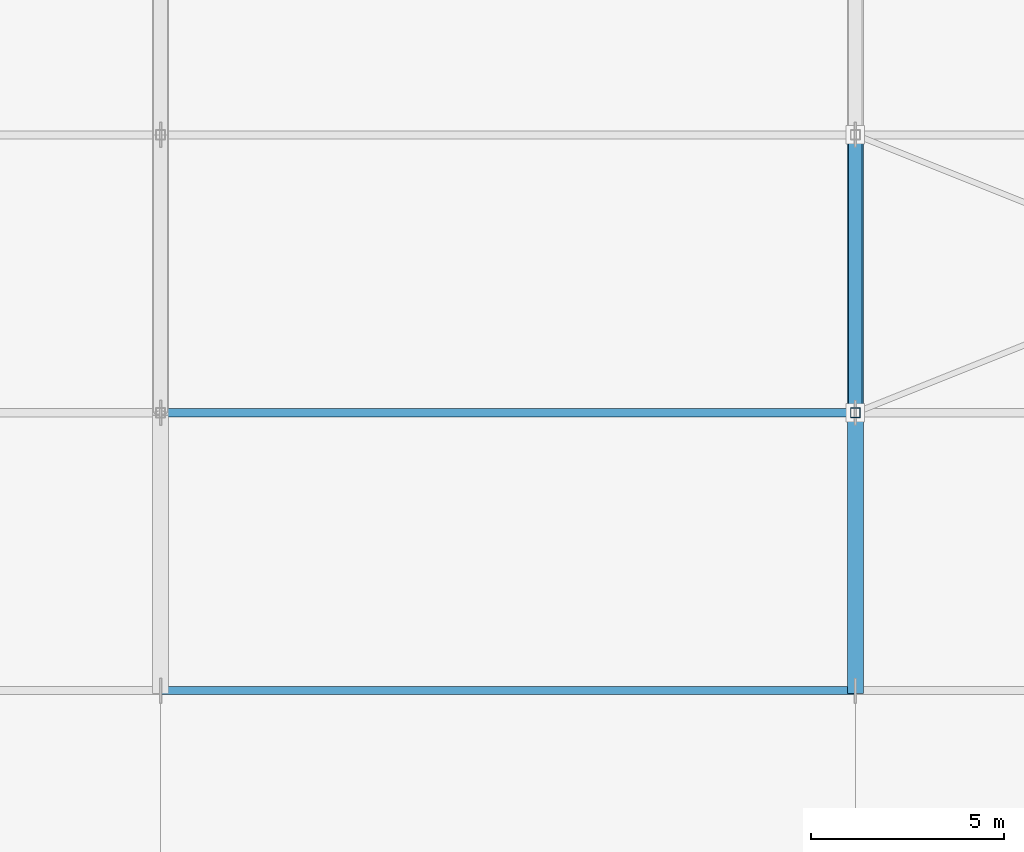
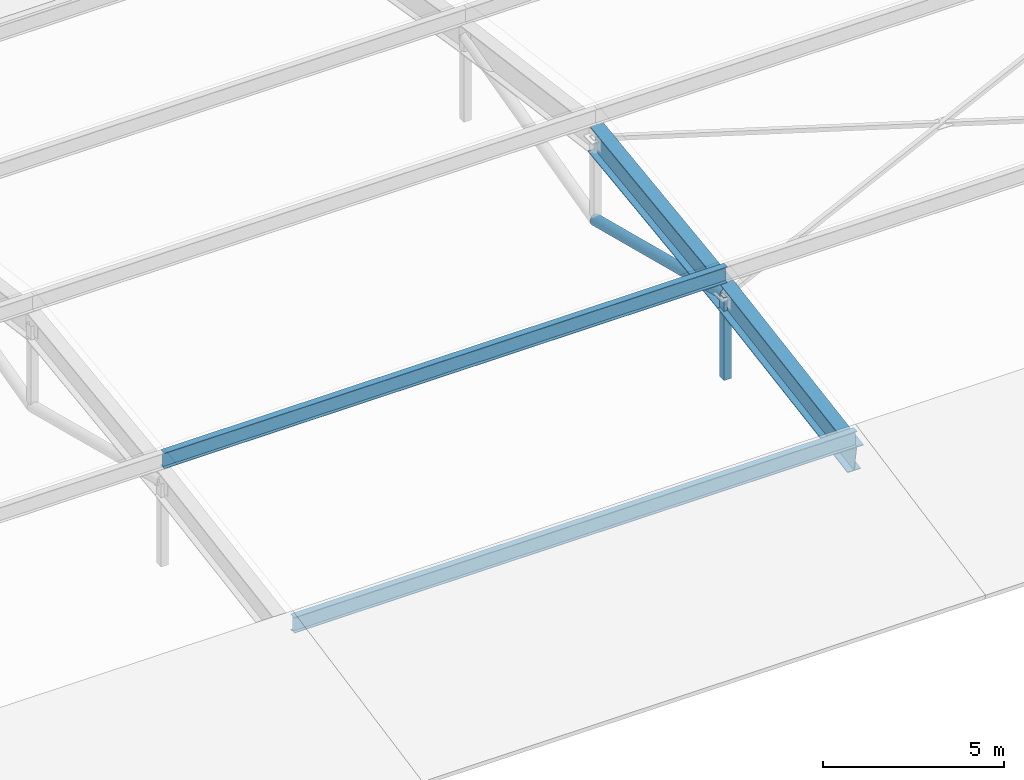
# One storey, part 18 of 78: 6 members.
"""IFC4 building model written with IfcOpenShell, lengths in metres."""

from ifc_helpers import new_model, si_unit, direction, frame, origin, origin_2d, place, context, subcontext, project, spatial, hollow_rectangle, hollow_circle, i_section, extrude, material, material_profile, profile_set, type_object, element, save


model = new_model("IFC4")

# Units and contexts
model_context = context("Model", 3, precision=1e-05, world=origin(), true_north=direction((0.0, 1.0)))
body_context = subcontext(model_context, "Body", "Model", "MODEL_VIEW")
ifc_project = project(units=[si_unit("LENGTHUNIT", "METRE"), si_unit("AREAUNIT", "SQUARE_METRE"), si_unit("VOLUMEUNIT", "CUBIC_METRE"), si_unit("PLANEANGLEUNIT", "RADIAN"), si_unit("MASSUNIT", "GRAM", prefix="KILO")], contexts=[model_context])

# Site, building, storey
site_placement = place(None, origin())
site = spatial("IfcSite", under=ifc_project, at=site_placement, CompositionType="ELEMENT")
building_placement = place(site_placement, origin())
building = spatial("IfcBuilding", under=site, at=building_placement, Name="Celestram Park Convention Centre", CompositionType="ELEMENT")
storey_placement = place(building_placement, frame((0.0, 0.0, 19.800048828125)))
storey = spatial("IfcBuildingStorey", under=building, at=storey_placement, Name="L04", CompositionType="ELEMENT", Elevation=19.800048828125)

# Members
ifc_material_1 = material(Name="Steel ASTM A500 Grade C", Category="steel")
ifc_material_profile_1 = material_profile(ifc_material_1, hollow_circle(Radius=0.177978515625, WallThickness=0.011962890625, at=origin_2d()), Name="CHS356X12")
ifc_profile_set_1 = profile_set([ifc_material_profile_1], Name="Steel ASTM A500 Grade C")
member_type_1 = type_object("IfcMemberType", Name="STR-BRC-CHS356", PredefinedType="BRACE", material=ifc_profile_set_1)
member_1_placement = place(storey_placement, frame((108.0, 57.60009765625, 1.670166015625), z_axis=(0.0, 0.968804355336, -0.247826796536), x_axis=(-1.0, 0.0, 0.0)))
element("IfcMember", 1, at=member_1_placement, inside=storey, type_object=member_type_1, Name="V1 arch web diagonal", PredefinedType="BRACE", context=body_context, shape_type="SweptSolid", body=[
    extrude(hollow_circle(Radius=0.177978515625, WallThickness=0.011962890625, at=origin_2d()), origin(), (0.0, 0.0, 1.0), 7.431884765625),
])
ifc_material_2 = material(Name="Steel ASTM A992 Grade 50", Category="steel")
ifc_material_profile_2 = material_profile(ifc_material_2, i_section(OverallWidth=0.4189453125, OverallDepth=0.927001953125, WebThickness=0.019287109375, FlangeThickness=0.031982421875, at=origin_2d()), Name="W36X231")
ifc_profile_set_2 = profile_set([ifc_material_profile_2], Name="Steel ASTM A992 Grade 50")
member_type_2 = type_object("IfcMemberType", Name="STR-CHD-W36X231", PredefinedType="CHORD", material=ifc_profile_set_2)
member_2_placement = place(storey_placement, frame((108.0, 50.39990234375, 0.481689453125), z_axis=(0.0, 0.986649508872, 0.162858056734), x_axis=(-1.0, 0.0, 0.0)))
element("IfcMember", 2, at=member_2_placement, inside=storey, type_object=member_type_2, Name="V1 arch top chord", PredefinedType="CHORD", context=body_context, shape_type="SweptSolid", body=[
    extrude(i_section(OverallWidth=0.4189453125, OverallDepth=0.927001953125, WebThickness=0.019287109375, FlangeThickness=0.031982421875, at=origin_2d()), origin(), (0.0, 0.0, 1.0), 7.297607421875),
])
member_3_placement = place(storey_placement, frame((108.0, 57.60009765625, 1.670166015625), z_axis=(0.0, 0.991259283276, 0.131928136952), x_axis=(-1.0, 0.0, 0.0)))
element("IfcMember", 3, at=member_3_placement, inside=storey, type_object=member_type_2, Name="V1 arch top chord", PredefinedType="CHORD", context=body_context, shape_type="SweptSolid", body=[
    extrude(i_section(OverallWidth=0.4189453125, OverallDepth=0.927001953125, WebThickness=0.019287109375, FlangeThickness=0.031982421875, at=origin_2d()), origin(), (0.0, 0.0, 1.0), 7.263427734375),
])
ifc_material_profile_3 = material_profile(ifc_material_2, i_section(OverallWidth=0.2099609375, OverallDepth=0.532958984375, WebThickness=0.01025390625, FlangeThickness=0.015625, at=origin_2d()), Name="W21X62")
ifc_profile_set_3 = profile_set([ifc_material_profile_3], Name="Steel ASTM A992 Grade 50")
member_type_3 = type_object("IfcMemberType", Name="STR-RFT-W21X62", PredefinedType="RAFTER", material=ifc_profile_set_3)
for number, where, z_axis, x_axis, name in (
    (4, (90.0, 50.39990234375, 1.211669921875), (1.0, 0.0, 0.0), (0.0, 1.0, 0.0), "V1 roof purlin"),
    (5, (90.0, 57.60009765625, 2.400146484375), (1.0, 0.0, 0.0), (0.0, 1.0, 0.0), "V1 roof purlin"),
):
    element("IfcMember", number, at=place(storey_placement, frame(where, z_axis=z_axis, x_axis=x_axis)), inside=storey, type_object=member_type_3, Name=name, PredefinedType="RAFTER", context=body_context, shape_type="SweptSolid", body=[
        extrude(i_section(OverallWidth=0.2099609375, OverallDepth=0.532958984375, WebThickness=0.01025390625, FlangeThickness=0.015625, at=origin_2d()), origin(), (0.0, 0.0, 1.0), 18.0),
    ])
ifc_material_profile_4 = material_profile(ifc_material_1, hollow_rectangle(XDim=0.25, YDim=0.25, WallThickness=0.011962890625, at=origin_2d()), Name="HSS250X250X12")
ifc_profile_set_4 = profile_set([ifc_material_profile_4], Name="Steel ASTM A500 Grade C")
member_type_4 = type_object("IfcMemberType", Name="STR-STR-HSS250", PredefinedType="STRUT", material=ifc_profile_set_4)
member_4_placement = place(storey_placement, frame((108.0, 57.60009765625, -1.1298828125), z_axis=(0.0, 0.0, 1.0), x_axis=(1.0, 0.0, 0.0)))
element("IfcMember", 6, at=member_4_placement, inside=storey, type_object=member_type_4, Name="V1 arch vertical strut", PredefinedType="STRUT", context=body_context, shape_type="SweptSolid", body=[
    extrude(hollow_rectangle(XDim=0.25, YDim=0.25, WallThickness=0.011962890625, at=origin_2d()), origin(), (0.0, 0.0, 1.0), 2.800048828125),
])

save(model, "model.ifc")
